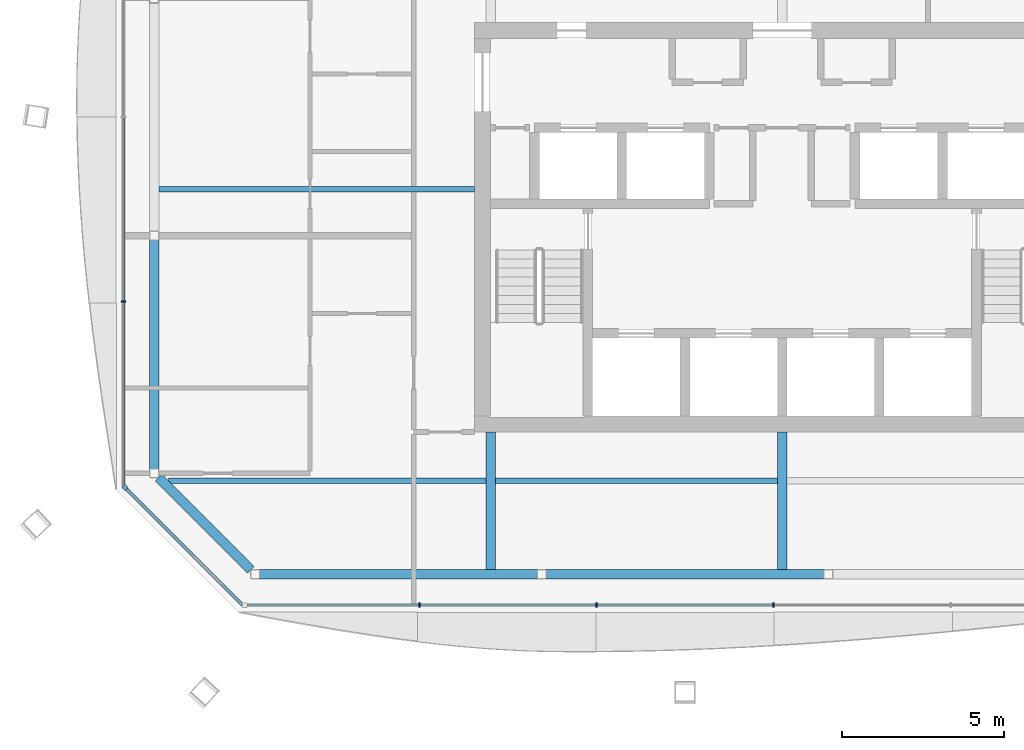
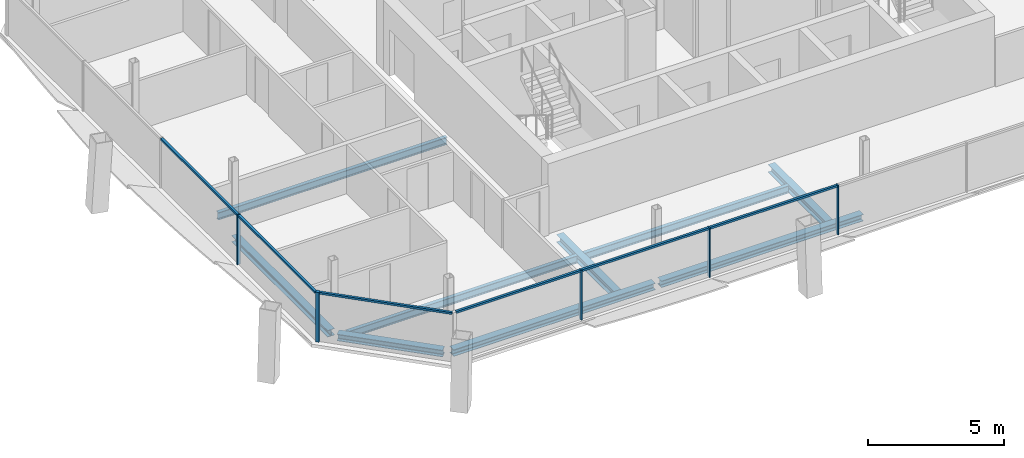
# One storey, part 3 of 16: 11 members, 9 beams, 3 elements without a shape of their own.
"""IFC4 building model written with IfcOpenShell, lengths in metres."""

from ifc_helpers import new_model, si_unit, direction, frame, origin, origin_2d, place, context, subcontext, project, spatial, rectangle, i_section, extrude, material, material_profile, profile_set, type_object, element, aggregate, save


model = new_model("IFC4")

# Units and contexts
model_context = context("Model", 3, precision=1e-05, world=origin(), true_north=direction((0.0, 1.0)))
body_context = subcontext(model_context, "Body", "Model", "MODEL_VIEW")
ifc_project = project(units=[si_unit("LENGTHUNIT", "METRE"), si_unit("AREAUNIT", "SQUARE_METRE"), si_unit("VOLUMEUNIT", "CUBIC_METRE"), si_unit("PLANEANGLEUNIT", "RADIAN"), si_unit("MASSUNIT", "GRAM", prefix="KILO")], contexts=[model_context])

# Site, building, storey
site_placement = place(None, origin())
site = spatial("IfcSite", under=ifc_project, at=site_placement, CompositionType="ELEMENT")
building_placement = place(site_placement, origin())
building = spatial("IfcBuilding", under=site, at=building_placement, Name="Tskaro Facet Tower", CompositionType="ELEMENT")
storey_placement = place(building_placement, frame((0.0, 0.0, 251.85009765625)))
storey = spatial("IfcBuildingStorey", under=building, at=storey_placement, Name="L66", CompositionType="ELEMENT", Elevation=251.85009765625)

# Curtain wall, member
ifc_material_1 = material(Name="Bronze anodised aluminium 6063-T6", Category="aluminium")
curtain_wall_type = type_object("IfcCurtainWallType", Name="Bronze residence curtain wall (FW3)", PredefinedType="NOTDEFINED", material=ifc_material_1)
curtain_wall_1_placement = place(storey_placement, origin())
curtain_wall_1 = element("IfcCurtainWall", 1, at=curtain_wall_1_placement, inside=storey, type_object=curtain_wall_type, Name="FW3 south-west facet L66", PredefinedType="NOTDEFINED")
ifc_material_profile_1 = material_profile(ifc_material_1, rectangle(XDim=0.139892578125, YDim=0.139892578125, at=origin_2d()), Name="Corner post 140x140")
ifc_profile_set_1 = profile_set([ifc_material_profile_1], Name="Bronze anodised aluminium 6063-T6")
member_type_1 = type_object("IfcMemberType", Name="FW3 bronze corner post 140x140", PredefinedType="MULLION", material=ifc_profile_set_1)
member_1_placement = place(storey_placement, frame((-20.29150390625, -13.71044921875, 0.0), z_axis=(0.0, 0.0, 1.0), x_axis=(0.707106781187, -0.707106781187, 0.0)))
member_1 = element("IfcMember", 2, at=member_1_placement, type_object=member_type_1, Name="FW3 south-west corner post", PredefinedType="MULLION", context=body_context, shape_type="SweptSolid", body=[
    extrude(rectangle(XDim=0.139892578125, YDim=0.139892578125, at=origin_2d()), origin(), (0.0, 0.0, 1.0), 2.239990234375),
])

# Curtain wall, members
curtain_wall_2_placement = place(storey_placement, origin())
curtain_wall_2 = element("IfcCurtainWall", 3, at=curtain_wall_2_placement, inside=storey, type_object=curtain_wall_type, Name="FW3 south facet L66", PredefinedType="NOTDEFINED")
ifc_material_profile_2 = material_profile(ifc_material_1, rectangle(XDim=0.050048828125, YDim=0.139892578125, at=origin_2d()), Name="Mullion 50x140")
ifc_profile_set_2 = profile_set([ifc_material_profile_2], Name="Bronze anodised aluminium 6063-T6")
member_type_2 = type_object("IfcMemberType", Name="FW3 bronze mullion 50x140", PredefinedType="MULLION", material=ifc_profile_set_2)
member_2_placement = place(storey_placement, frame((-11.196533203125, -17.341064453125, 0.0), z_axis=(0.0, 0.0, 1.0), x_axis=(1.0, 0.0, 0.0)))
member_2 = element("IfcMember", 4, at=member_2_placement, type_object=member_type_2, Name="FW3 south mullion 1", PredefinedType="MULLION", context=body_context, shape_type="SweptSolid", body=[
    extrude(rectangle(XDim=0.050048828125, YDim=0.139892578125, at=origin_2d()), origin(), (0.0, 0.0, 1.0), 2.239990234375),
])
member_3_placement = place(storey_placement, frame((-5.732177734375, -17.341064453125, 0.0), z_axis=(0.0, 0.0, 1.0), x_axis=(1.0, 0.0, 0.0)))
member_3 = element("IfcMember", 5, at=member_3_placement, type_object=member_type_2, Name="FW3 south mullion 2", PredefinedType="MULLION", context=body_context, shape_type="SweptSolid", body=[
    extrude(rectangle(XDim=0.050048828125, YDim=0.139892578125, at=origin_2d()), origin(), (0.0, 0.0, 1.0), 2.239990234375),
])
member_4_placement = place(storey_placement, frame((-0.267822265625, -17.341064453125, 0.0), z_axis=(0.0, 0.0, 1.0), x_axis=(1.0, 0.0, 0.0)))
member_4 = element("IfcMember", 6, at=member_4_placement, type_object=member_type_2, Name="FW3 south mullion 3", PredefinedType="MULLION", context=body_context, shape_type="SweptSolid", body=[
    extrude(rectangle(XDim=0.050048828125, YDim=0.139892578125, at=origin_2d()), origin(), (0.0, 0.0, 1.0), 2.239990234375),
])

# Curtain wall, member
curtain_wall_3_placement = place(storey_placement, origin())
curtain_wall_3 = element("IfcCurtainWall", 7, at=curtain_wall_3_placement, inside=storey, type_object=curtain_wall_type, Name="FW3 west facet L66", PredefinedType="NOTDEFINED")
member_5_placement = place(storey_placement, frame((-20.341064453125, -7.96630859375, 0.0), z_axis=(0.0, 0.0, 1.0), x_axis=(0.0, -1.0, 0.0)))
member_5 = element("IfcMember", 8, at=member_5_placement, type_object=member_type_2, Name="FW3 west mullion 3", PredefinedType="MULLION", context=body_context, shape_type="SweptSolid", body=[
    extrude(rectangle(XDim=0.050048828125, YDim=0.139892578125, at=origin_2d()), origin(), (0.0, 0.0, 1.0), 2.239990234375),
])

# Member
ifc_material_profile_3 = material_profile(ifc_material_1, rectangle(XDim=0.10009765625, YDim=0.090087890625, at=origin_2d()), Name="Transom 100x90")
ifc_profile_set_3 = profile_set([ifc_material_profile_3], Name="Bronze anodised aluminium 6063-T6")
member_type_3 = type_object("IfcMemberType", Name="FW3 bronze transom 100x90", PredefinedType="USERDEFINED", material=ifc_profile_set_3)
member_6_placement = place(storey_placement, frame((-16.52099609375, -17.341064453125, 2.19482421875), z_axis=(1.0, 0.0, 0.0), x_axis=(0.0, 1.0, 0.0)))
member_6 = element("IfcMember", 9, at=member_6_placement, type_object=member_type_3, Name="FW3 south transom 1.1", ObjectType="TRANSOM", PredefinedType="USERDEFINED", context=body_context, shape_type="SweptSolid", body=[
    extrude(rectangle(XDim=0.10009765625, YDim=0.090087890625, at=origin_2d()), origin(), (0.0, 0.0, 1.0), 5.29931640625),
])

member_7_placement = place(storey_placement, frame((-11.171630859375, -17.341064453125, 2.19482421875), z_axis=(1.0, 0.0, 0.0), x_axis=(0.0, 1.0, 0.0)))
member_7 = element("IfcMember", 10, at=member_7_placement, type_object=member_type_3, Name="FW3 south transom 2.1", ObjectType="TRANSOM", PredefinedType="USERDEFINED", context=body_context, shape_type="SweptSolid", body=[
    extrude(rectangle(XDim=0.10009765625, YDim=0.090087890625, at=origin_2d()), origin(), (0.0, 0.0, 1.0), 5.41455078125),
])

member_8_placement = place(storey_placement, frame((-5.707275390625, -17.341064453125, 2.19482421875), z_axis=(1.0, 0.0, 0.0), x_axis=(0.0, 1.0, 0.0)))
member_8 = element("IfcMember", 11, at=member_8_placement, type_object=member_type_3, Name="FW3 south transom 3.1", ObjectType="TRANSOM", PredefinedType="USERDEFINED", context=body_context, shape_type="SweptSolid", body=[
    extrude(rectangle(XDim=0.10009765625, YDim=0.090087890625, at=origin_2d()), origin(), (0.0, 0.0, 1.0), 5.41455078125),
])

aggregate(curtain_wall_2, [member_2, member_3, member_4, member_6, member_7, member_8])

member_9_placement = place(storey_placement, frame((-20.341064453125, -2.29638671875, 2.19482421875), z_axis=(0.0, -1.0, 0.0), x_axis=(1.0, 0.0, 0.0)))
member_9 = element("IfcMember", 12, at=member_9_placement, type_object=member_type_3, Name="FW3 west transom 3.1", ObjectType="TRANSOM", PredefinedType="USERDEFINED", context=body_context, shape_type="SweptSolid", body=[
    extrude(rectangle(XDim=0.10009765625, YDim=0.090087890625, at=origin_2d()), origin(), (0.0, 0.0, 1.0), 5.644775390625),
])

member_10_placement = place(storey_placement, frame((-20.341064453125, -7.9912109375, 2.19482421875), z_axis=(0.0, -1.0, 0.0), x_axis=(1.0, 0.0, 0.0)))
member_10 = element("IfcMember", 13, at=member_10_placement, type_object=member_type_3, Name="FW3 west transom 4.1", ObjectType="TRANSOM", PredefinedType="USERDEFINED", context=body_context, shape_type="SweptSolid", body=[
    extrude(rectangle(XDim=0.10009765625, YDim=0.090087890625, at=origin_2d()), origin(), (0.0, 0.0, 1.0), 5.669677734375),
])

aggregate(curtain_wall_3, [member_5, member_9, member_10])

member_11_placement = place(storey_placement, frame((-20.241943359375, -13.760009765625, 2.19482421875), z_axis=(0.707106781187, -0.707106781187, 0.0), x_axis=(0.707106781187, 0.707106781187, 0.0)))
member_11 = element("IfcMember", 14, at=member_11_placement, type_object=member_type_3, Name="FW3 south-west transom 1.1", ObjectType="TRANSOM", PredefinedType="USERDEFINED", context=body_context, shape_type="SweptSolid", body=[
    extrude(rectangle(XDim=0.10009765625, YDim=0.090087890625, at=origin_2d()), origin(), (0.0, 0.0, 1.0), 5.064453125),
])

aggregate(curtain_wall_1, [member_1, member_11])

# Beams
ifc_material_2 = material(Name="Steel S355J2", Category="steel")
ifc_material_profile_4 = material_profile(ifc_material_2, i_section(OverallWidth=0.300048828125, OverallDepth=0.300048828125, WebThickness=0.010986328125, FlangeThickness=0.01904296875, FilletRadius=0.027099609375, at=origin_2d()), Name="HE 300 B")
ifc_profile_set_4 = profile_set([ifc_material_profile_4], Name="Steel S355J2")
beam_type_1 = type_object("IfcBeamType", Name="HE 300 B ring beam", PredefinedType="BEAM", material=ifc_profile_set_4)
beam_1_placement = place(storey_placement, frame((-16.137939453125, -16.39111328125, -0.2900390625), z_axis=(1.0, 0.0, 0.0), x_axis=(0.0, 1.0, 0.0)))
element("IfcBeam", 15, at=beam_1_placement, inside=storey, type_object=beam_type_1, Name="HE 300 B EB1-5", PredefinedType="BEAM", context=body_context, shape_type="SweptSolid", body=[
    extrude(i_section(OverallWidth=0.300048828125, OverallDepth=0.300048828125, WebThickness=0.010986328125, FlangeThickness=0.01904296875, FilletRadius=0.027099609375, at=origin_2d()), origin(), (0.0, 0.0, 1.0), 8.5849609375),
])
beam_2_placement = place(storey_placement, frame((-7.29296875, -16.39111328125, -0.2900390625), z_axis=(1.0, 0.0, 0.0), x_axis=(0.0, 1.0, 0.0)))
element("IfcBeam", 16, at=beam_2_placement, inside=storey, type_object=beam_type_1, Name="HE 300 B EB2-5", PredefinedType="BEAM", context=body_context, shape_type="SweptSolid", body=[
    extrude(i_section(OverallWidth=0.300048828125, OverallDepth=0.300048828125, WebThickness=0.010986328125, FlangeThickness=0.01904296875, FilletRadius=0.027099609375, at=origin_2d()), origin(), (0.0, 0.0, 1.0), 8.5859375),
])
beam_3_placement = place(storey_placement, frame((-19.39111328125, -6.06689453125, -0.2900390625), z_axis=(0.0, -1.0, 0.0), x_axis=(1.0, 0.0, 0.0)))
element("IfcBeam", 17, at=beam_3_placement, inside=storey, type_object=beam_type_1, Name="HE 300 B EB16-5", PredefinedType="BEAM", context=body_context, shape_type="SweptSolid", body=[
    extrude(i_section(OverallWidth=0.300048828125, OverallDepth=0.300048828125, WebThickness=0.010986328125, FlangeThickness=0.01904296875, FilletRadius=0.027099609375, at=origin_2d()), origin(), (0.0, 0.0, 1.0), 7.071044921875),
])
beam_4_placement = place(storey_placement, frame((-19.255126953125, -13.40380859375, -0.2900390625), z_axis=(0.707106781187, -0.707106781187, 0.0), x_axis=(0.707106781187, 0.707106781187, 0.0)))
element("IfcBeam", 18, at=beam_4_placement, inside=storey, type_object=beam_type_1, Name="HE 300 B EB17-5", PredefinedType="BEAM", context=body_context, shape_type="SweptSolid", body=[
    extrude(i_section(OverallWidth=0.300048828125, OverallDepth=0.300048828125, WebThickness=0.010986328125, FlangeThickness=0.01904296875, FilletRadius=0.027099609375, at=origin_2d()), origin(), (0.0, 0.0, 1.0), 4.032470703125),
])
ifc_material_profile_5 = material_profile(ifc_material_2, i_section(OverallWidth=0.300048828125, OverallDepth=0.35009765625, WebThickness=0.010009765625, FlangeThickness=0.017578125, FilletRadius=0.027099609375, at=origin_2d()), Name="HE 360 A")
ifc_profile_set_5 = profile_set([ifc_material_profile_5], Name="Steel S355J2")
beam_type_2 = type_object("IfcBeamType", Name="HE 360 A girder", PredefinedType="BEAM", material=ifc_profile_set_5)
for number, where, z_axis, x_axis, name in (
    (19, (-9.0, -16.240966796875, -0.315185546875), (0.0, 1.0, 0.0), (-1.0, 0.0, 0.0), "HE 360 A GB3-1-5"),
    (20, (0.0, -16.240966796875, -0.315185546875), (0.0, 1.0, 0.0), (-1.0, 0.0, 0.0), "HE 360 A GB4-1-5"),
):
    element("IfcBeam", number, at=place(storey_placement, frame(where, z_axis=z_axis, x_axis=x_axis)), inside=storey, type_object=beam_type_2, Name=name, PredefinedType="BEAM", context=body_context, shape_type="SweptSolid", body=[
        extrude(i_section(OverallWidth=0.300048828125, OverallDepth=0.35009765625, WebThickness=0.010009765625, FlangeThickness=0.017578125, FilletRadius=0.027099609375, at=origin_2d()), origin(), (0.0, 0.0, 1.0), 4.240966796875),
    ])
ifc_material_profile_6 = material_profile(ifc_material_2, i_section(OverallWidth=0.159912109375, OverallDepth=0.330078125, WebThickness=0.007568359375, FlangeThickness=0.011474609375, FilletRadius=0.01806640625, at=origin_2d()), Name="IPE 330")
ifc_profile_set_6 = profile_set([ifc_material_profile_6], Name="Steel S355J2")
beam_type_3 = type_object("IfcBeamType", Name="IPE 330 secondary beam", PredefinedType="BEAM", material=ifc_profile_set_6)
beam_5_placement = place(storey_placement, frame((-18.947021484375, -13.5, -0.30517578125), z_axis=(1.0, 0.0, 0.0), x_axis=(0.0, 1.0, 0.0)))
element("IfcBeam", 21, at=beam_5_placement, inside=storey, type_object=beam_type_3, Name="IPE 330 SB2a-1-5", PredefinedType="BEAM", context=body_context, shape_type="SweptSolid", body=[
    extrude(i_section(OverallWidth=0.159912109375, OverallDepth=0.330078125, WebThickness=0.007568359375, FlangeThickness=0.011474609375, FilletRadius=0.01806640625, at=origin_2d()), origin(), (0.0, 0.0, 1.0), 9.797119140625),
])
beam_6_placement = place(storey_placement, frame((-8.85009765625, -13.5, -0.30517578125), z_axis=(1.0, 0.0, 0.0), x_axis=(0.0, 1.0, 0.0)))
element("IfcBeam", 22, at=beam_6_placement, inside=storey, type_object=beam_type_3, Name="IPE 330 SB2a-2-5", PredefinedType="BEAM", context=body_context, shape_type="SweptSolid", body=[
    extrude(i_section(OverallWidth=0.159912109375, OverallDepth=0.330078125, WebThickness=0.007568359375, FlangeThickness=0.011474609375, FilletRadius=0.01806640625, at=origin_2d()), origin(), (0.0, 0.0, 1.0), 8.7001953125),
])
beam_7_placement = place(storey_placement, frame((-19.240966796875, -4.5, -0.30517578125), z_axis=(1.0, 0.0, 0.0), x_axis=(0.0, 1.0, 0.0)))
element("IfcBeam", 23, at=beam_7_placement, inside=storey, type_object=beam_type_3, Name="IPE 330 SB3a-1-5", PredefinedType="BEAM", context=body_context, shape_type="SweptSolid", body=[
    extrude(i_section(OverallWidth=0.159912109375, OverallDepth=0.330078125, WebThickness=0.007568359375, FlangeThickness=0.011474609375, FilletRadius=0.01806640625, at=origin_2d()), origin(), (0.0, 0.0, 1.0), 9.740966796875),
])

save(model, "model.ifc")
